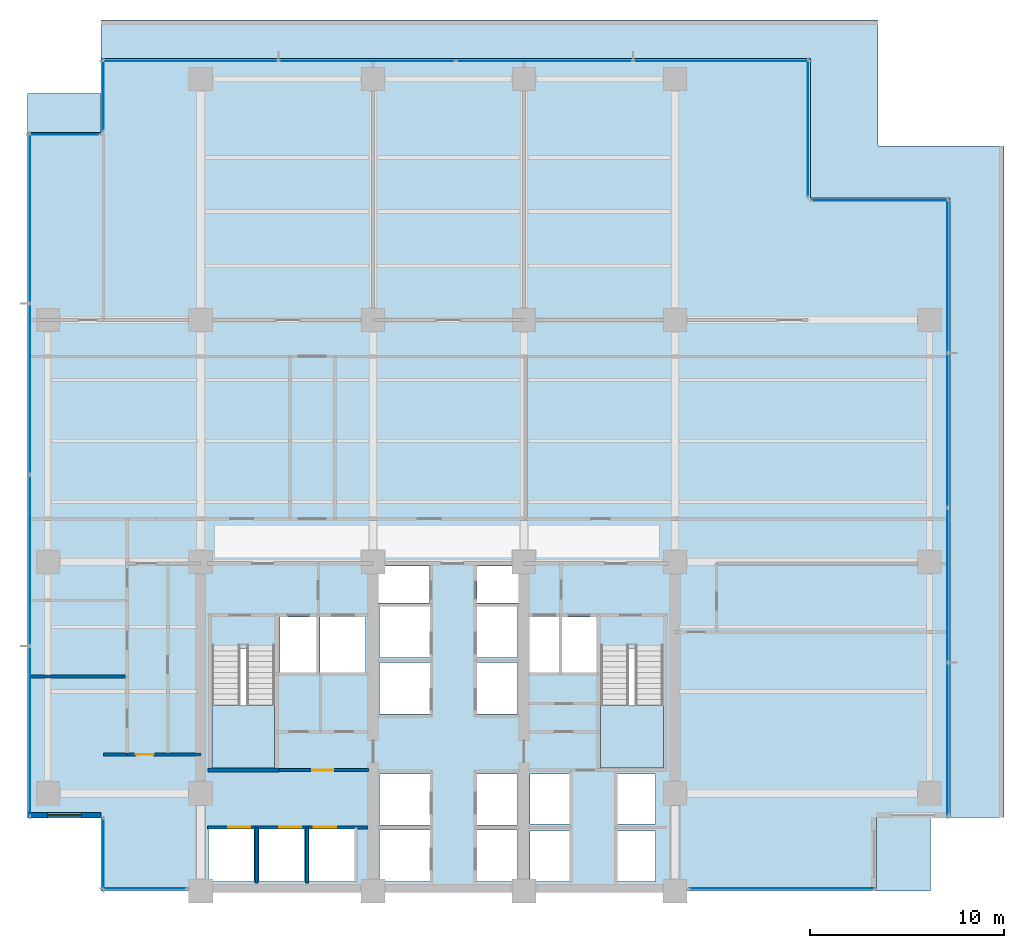
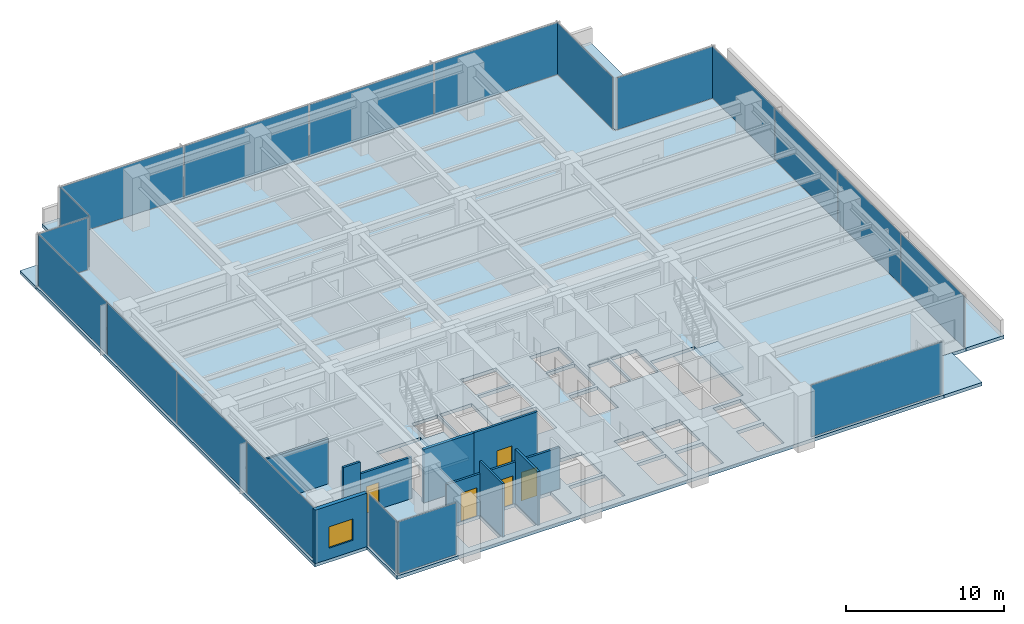
# One storey, part 7 of 16: 19 plates, 9 walls, 6 slabs, 5 doors, 1 window, 6 openings, 12 elements without a shape of their own.
"""IFC4 building model written with IfcOpenShell, lengths in metres."""

from ifc_helpers import new_model, si_unit, direction, frame, frame_2d, origin, origin_2d, place, context, subcontext, project, spatial, polyline, rectangle, outline, extrude, material, layer, layer_set, type_object, element, fill, aggregate, save


model = new_model("IFC4")

# Units and contexts
model_context = context("Model", 3, precision=1e-05, world=origin(), true_north=direction((0.0, 1.0)))
body_context = subcontext(model_context, "Body", "Model", "MODEL_VIEW")
ifc_project = project(units=[si_unit("LENGTHUNIT", "METRE"), si_unit("AREAUNIT", "SQUARE_METRE"), si_unit("VOLUMEUNIT", "CUBIC_METRE"), si_unit("PLANEANGLEUNIT", "RADIAN"), si_unit("MASSUNIT", "GRAM", prefix="KILO")], contexts=[model_context])

# Site, building, storey
site_placement = place(None, origin())
site = spatial("IfcSite", under=ifc_project, at=site_placement, CompositionType="ELEMENT")
building_placement = place(site_placement, origin())
building = spatial("IfcBuilding", under=site, at=building_placement, Name="Qalmaran Belvedere Hotel", CompositionType="ELEMENT")
storey_placement = place(building_placement, frame((0.0, 0.0, 83.800048828125)))
storey = spatial("IfcBuildingStorey", under=building, at=storey_placement, Name="L20", CompositionType="ELEMENT", Elevation=83.800048828125)

# Curtain wall, plate
ifc_material_1 = material(Name="Anodised Bronze Aluminium", Category="aluminium")
ifc_layer_1 = layer(ifc_material_1, 0.199951171875, Name="Anodised Bronze Aluminium")
ifc_layer_set_1 = layer_set([ifc_layer_1], Name="Anodised Bronze Aluminium")
curtain_wall_type = type_object("IfcCurtainWallType", Name="CW3-TOWER-LOWMID", PredefinedType="NOTDEFINED", material=ifc_layer_set_1)
curtain_wall_1_placement = place(storey_placement, origin())
curtain_wall_1 = element("IfcCurtainWall", 1, at=curtain_wall_1_placement, inside=storey, type_object=curtain_wall_type, Name="L20 Curtain Wall CW3", PredefinedType="NOTDEFINED")
ifc_material_2 = material(Name="Solar-Control Double Glazing", Category="glass")
ifc_layer_2 = layer(ifc_material_2, 0.028076171875, Name="Solar-Control Double Glazing")
ifc_layer_set_2 = layer_set([ifc_layer_2], Name="Solar-Control Double Glazing")
plate_type = type_object("IfcPlateType", Name="CWP-VISION-28", PredefinedType="CURTAIN_PANEL", material=ifc_layer_set_2)
plate_1_placement = place(storey_placement, frame((17.392578125, 3.6201171875, 0.06494140625), z_axis=(0.0, 0.0, 1.0), x_axis=(1.0, 0.0, 0.0)))
plate_1 = element("IfcPlate", 2, at=plate_1_placement, type_object=plate_type, Name="CW3 panel 1.1", PredefinedType="CURTAIN_PANEL", context=body_context, shape_type="SweptSolid", body=[
    extrude(rectangle(XDim=4.344970703125, YDim=0.028076171875, at=origin_2d()), origin(), (0.0, 0.0, 1.0), 4.010009765625),
])
aggregate(curtain_wall_1, [plate_1])

curtain_wall_2_placement = place(storey_placement, origin())
curtain_wall_2 = element("IfcCurtainWall", 3, at=curtain_wall_2_placement, inside=storey, type_object=curtain_wall_type, Name="L20 Curtain Wall CW3", PredefinedType="NOTDEFINED")
plate_2_placement = place(storey_placement, frame((50.33251953125, 3.6201171875, 0.06494140625), z_axis=(0.0, 0.0, 1.0), x_axis=(1.0, 0.0, 0.0)))
plate_2 = element("IfcPlate", 4, at=plate_2_placement, type_object=plate_type, Name="CW3 panel 1.1", PredefinedType="CURTAIN_PANEL", context=body_context, shape_type="SweptSolid", body=[
    extrude(rectangle(XDim=9.594970703125, YDim=0.028076171875, at=origin_2d()), origin(), (0.0, 0.0, 1.0), 4.010009765625),
])
aggregate(curtain_wall_2, [plate_2])

# Curtain wall, plates
curtain_wall_3_placement = place(storey_placement, origin())
curtain_wall_3 = element("IfcCurtainWall", 5, at=curtain_wall_3_placement, inside=storey, type_object=curtain_wall_type, Name="L20 Curtain Wall CW3", PredefinedType="NOTDEFINED")
plate_3_placement = place(storey_placement, frame((58.8798828125, 11.3173828125, 0.06494140625), z_axis=(0.0, 0.0, 1.0), x_axis=(0.0, 1.0, 0.0)))
plate_3 = element("IfcPlate", 6, at=plate_3_placement, type_object=plate_type, Name="CW3 panel 1.1", PredefinedType="CURTAIN_PANEL", context=body_context, shape_type="SweptSolid", body=[
    extrude(rectangle(XDim=7.89501953125, YDim=0.028076171875, at=origin_2d()), origin(), (0.0, 0.0, 1.0), 4.010009765625),
])
plate_4_placement = place(storey_placement, frame((58.8798828125, 19.300048828125, 0.06494140625), z_axis=(0.0, 0.0, 1.0), x_axis=(0.0, 1.0, 0.0)))
plate_4 = element("IfcPlate", 7, at=plate_4_placement, type_object=plate_type, Name="CW3 panel 2.1", PredefinedType="CURTAIN_PANEL", context=body_context, shape_type="SweptSolid", body=[
    extrude(rectangle(XDim=7.929931640625, YDim=0.028076171875, at=origin_2d()), origin(), (0.0, 0.0, 1.0), 4.010009765625),
])
plate_5_placement = place(storey_placement, frame((58.8798828125, 27.300048828125, 0.06494140625), z_axis=(0.0, 0.0, 1.0), x_axis=(0.0, 1.0, 0.0)))
plate_5 = element("IfcPlate", 8, at=plate_5_placement, type_object=plate_type, Name="CW3 panel 3.1", PredefinedType="CURTAIN_PANEL", context=body_context, shape_type="SweptSolid", body=[
    extrude(rectangle(XDim=7.929931640625, YDim=0.028076171875, at=origin_2d()), origin(), (0.0, 0.0, 1.0), 4.010009765625),
])
plate_6_placement = place(storey_placement, frame((58.8798828125, 35.282470703125, 0.06494140625), z_axis=(0.0, 0.0, 1.0), x_axis=(0.0, 1.0, 0.0)))
plate_6 = element("IfcPlate", 9, at=plate_6_placement, type_object=plate_type, Name="CW3 panel 4.1", PredefinedType="CURTAIN_PANEL", context=body_context, shape_type="SweptSolid", body=[
    extrude(rectangle(XDim=7.89501953125, YDim=0.028076171875, at=origin_2d()), origin(), (0.0, 0.0, 1.0), 4.010009765625),
])
aggregate(curtain_wall_3, [plate_3, plate_4, plate_5, plate_6])

# Curtain wall, plate
curtain_wall_4_placement = place(storey_placement, origin())
curtain_wall_4 = element("IfcCurtainWall", 10, at=curtain_wall_4_placement, inside=storey, type_object=curtain_wall_type, Name="L20 Curtain Wall CW3", PredefinedType="NOTDEFINED")
plate_7_placement = place(storey_placement, frame((55.39990234375, 39.179931640625, 0.06494140625), z_axis=(0.0, 0.0, 1.0), x_axis=(-1.0, 0.0, 0.0)))
plate_7 = element("IfcPlate", 11, at=plate_7_placement, type_object=plate_type, Name="CW3 panel 1.1", PredefinedType="CURTAIN_PANEL", context=body_context, shape_type="SweptSolid", body=[
    extrude(rectangle(XDim=7.06005859375, YDim=0.028076171875, at=origin_2d()), origin(), (0.0, 0.0, 1.0), 4.010009765625),
])
aggregate(curtain_wall_4, [plate_7])

curtain_wall_5_placement = place(storey_placement, origin())
curtain_wall_5 = element("IfcCurtainWall", 12, at=curtain_wall_5_placement, inside=storey, type_object=curtain_wall_type, Name="L20 Curtain Wall CW3", PredefinedType="NOTDEFINED")
plate_8_placement = place(storey_placement, frame((51.679931640625, 42.89990234375, 0.06494140625), z_axis=(0.0, 0.0, 1.0), x_axis=(0.0, 1.0, 0.0)))
plate_8 = element("IfcPlate", 13, at=plate_8_placement, type_object=plate_type, Name="CW3 panel 1.1", PredefinedType="CURTAIN_PANEL", context=body_context, shape_type="SweptSolid", body=[
    extrude(rectangle(XDim=7.06005859375, YDim=0.028076171875, at=origin_2d()), origin(), (0.0, 0.0, 1.0), 4.010009765625),
])
aggregate(curtain_wall_5, [plate_8])

# Curtain wall, plates
curtain_wall_6_placement = place(storey_placement, origin())
curtain_wall_6 = element("IfcCurtainWall", 14, at=curtain_wall_6_placement, inside=storey, type_object=curtain_wall_type, Name="L20 Curtain Wall CW3", PredefinedType="NOTDEFINED")
plate_9_placement = place(storey_placement, frame((47.201171875, 46.3798828125, 0.06494140625), z_axis=(0.0, 0.0, 1.0), x_axis=(-1.0, 0.0, 0.0)))
plate_9 = element("IfcPlate", 15, at=plate_9_placement, type_object=plate_type, Name="CW3 panel 1.1", PredefinedType="CURTAIN_PANEL", context=body_context, shape_type="SweptSolid", body=[
    extrude(rectangle(XDim=9.0576171875, YDim=0.028076171875, at=origin_2d()), origin(), (0.0, 0.0, 1.0), 4.010009765625),
])
plate_10_placement = place(storey_placement, frame((38.05615234375, 46.3798828125, 0.06494140625), z_axis=(0.0, 0.0, 1.0), x_axis=(-1.0, 0.0, 0.0)))
plate_10 = element("IfcPlate", 16, at=plate_10_placement, type_object=plate_type, Name="CW3 panel 2.1", PredefinedType="CURTAIN_PANEL", context=body_context, shape_type="SweptSolid", body=[
    extrude(rectangle(XDim=9.092529296875, YDim=0.028076171875, at=origin_2d()), origin(), (0.0, 0.0, 1.0), 4.010009765625),
])
plate_11_placement = place(storey_placement, frame((28.893798828125, 46.3798828125, 0.06494140625), z_axis=(0.0, 0.0, 1.0), x_axis=(-1.0, 0.0, 0.0)))
plate_11 = element("IfcPlate", 17, at=plate_11_placement, type_object=plate_type, Name="CW3 panel 3.1", PredefinedType="CURTAIN_PANEL", context=body_context, shape_type="SweptSolid", body=[
    extrude(rectangle(XDim=9.092529296875, YDim=0.028076171875, at=origin_2d()), origin(), (0.0, 0.0, 1.0), 4.010009765625),
])
plate_12_placement = place(storey_placement, frame((19.748779296875, 46.3798828125, 0.06494140625), z_axis=(0.0, 0.0, 1.0), x_axis=(-1.0, 0.0, 0.0)))
plate_12 = element("IfcPlate", 18, at=plate_12_placement, type_object=plate_type, Name="CW3 panel 4.1", PredefinedType="CURTAIN_PANEL", context=body_context, shape_type="SweptSolid", body=[
    extrude(rectangle(XDim=9.0576171875, YDim=0.028076171875, at=origin_2d()), origin(), (0.0, 0.0, 1.0), 4.010009765625),
])
aggregate(curtain_wall_6, [plate_9, plate_10, plate_11, plate_12])

# Curtain wall, plate
curtain_wall_7_placement = place(storey_placement, origin())
curtain_wall_7 = element("IfcCurtainWall", 19, at=curtain_wall_7_placement, inside=storey, type_object=curtain_wall_type, Name="L20 Curtain Wall CW3", PredefinedType="NOTDEFINED")
plate_13_placement = place(storey_placement, frame((15.27001953125, 44.60009765625, 0.06494140625), z_axis=(0.0, 0.0, 1.0), x_axis=(0.0, -1.0, 0.0)))
plate_13 = element("IfcPlate", 20, at=plate_13_placement, type_object=plate_type, Name="CW3 panel 1.1", PredefinedType="CURTAIN_PANEL", context=body_context, shape_type="SweptSolid", body=[
    extrude(rectangle(XDim=3.659912109375, YDim=0.028076171875, at=origin_2d()), origin(), (0.0, 0.0, 1.0), 4.010009765625),
])
aggregate(curtain_wall_7, [plate_13])

curtain_wall_8_placement = place(storey_placement, origin())
curtain_wall_8 = element("IfcCurtainWall", 21, at=curtain_wall_8_placement, inside=storey, type_object=curtain_wall_type, Name="L20 Curtain Wall CW3", PredefinedType="NOTDEFINED")
plate_14_placement = place(storey_placement, frame((13.25, 42.580078125, 0.06494140625), z_axis=(0.0, 0.0, 1.0), x_axis=(-1.0, 0.0, 0.0)))
plate_14 = element("IfcPlate", 22, at=plate_14_placement, type_object=plate_type, Name="CW3 panel 1.1", PredefinedType="CURTAIN_PANEL", context=body_context, shape_type="SweptSolid", body=[
    extrude(rectangle(XDim=3.659912109375, YDim=0.028076171875, at=origin_2d()), origin(), (0.0, 0.0, 1.0), 4.010009765625),
])
aggregate(curtain_wall_8, [plate_14])

# Curtain wall, plates
curtain_wall_9_placement = place(storey_placement, origin())
curtain_wall_9 = element("IfcCurtainWall", 23, at=curtain_wall_9_placement, inside=storey, type_object=curtain_wall_type, Name="L20 Curtain Wall CW3", PredefinedType="NOTDEFINED")
plate_15_placement = place(storey_placement, frame((11.469970703125, 38.257568359375, 0.06494140625), z_axis=(0.0, 0.0, 1.0), x_axis=(0.0, -1.0, 0.0)))
plate_15 = element("IfcPlate", 24, at=plate_15_placement, type_object=plate_type, Name="CW3 panel 1.1", PredefinedType="CURTAIN_PANEL", context=body_context, shape_type="SweptSolid", body=[
    extrude(rectangle(XDim=8.7451171875, YDim=0.028076171875, at=origin_2d()), origin(), (0.0, 0.0, 1.0), 4.010009765625),
])
plate_16_placement = place(storey_placement, frame((11.469970703125, 29.425048828125, 0.06494140625), z_axis=(0.0, 0.0, 1.0), x_axis=(0.0, -1.0, 0.0)))
plate_16 = element("IfcPlate", 25, at=plate_16_placement, type_object=plate_type, Name="CW3 panel 2.1", PredefinedType="CURTAIN_PANEL", context=body_context, shape_type="SweptSolid", body=[
    extrude(rectangle(XDim=8.780029296875, YDim=0.028076171875, at=origin_2d()), origin(), (0.0, 0.0, 1.0), 4.010009765625),
])
plate_17_placement = place(storey_placement, frame((11.469970703125, 20.574951171875, 0.06494140625), z_axis=(0.0, 0.0, 1.0), x_axis=(0.0, -1.0, 0.0)))
plate_17 = element("IfcPlate", 26, at=plate_17_placement, type_object=plate_type, Name="CW3 panel 3.1", PredefinedType="CURTAIN_PANEL", context=body_context, shape_type="SweptSolid", body=[
    extrude(rectangle(XDim=8.780029296875, YDim=0.028076171875, at=origin_2d()), origin(), (0.0, 0.0, 1.0), 4.010009765625),
])
plate_18_placement = place(storey_placement, frame((11.469970703125, 11.742431640625, 0.06494140625), z_axis=(0.0, 0.0, 1.0), x_axis=(0.0, -1.0, 0.0)))
plate_18 = element("IfcPlate", 27, at=plate_18_placement, type_object=plate_type, Name="CW3 panel 4.1", PredefinedType="CURTAIN_PANEL", context=body_context, shape_type="SweptSolid", body=[
    extrude(rectangle(XDim=8.7451171875, YDim=0.028076171875, at=origin_2d()), origin(), (0.0, 0.0, 1.0), 4.010009765625),
])
aggregate(curtain_wall_9, [plate_15, plate_16, plate_17, plate_18])

# Curtain wall, plate
curtain_wall_10_placement = place(storey_placement, origin())
curtain_wall_10 = element("IfcCurtainWall", 28, at=curtain_wall_10_placement, inside=storey, type_object=curtain_wall_type, Name="L20 Curtain Wall CW3", PredefinedType="NOTDEFINED")
plate_19_placement = place(storey_placement, frame((15.27001953125, 5.39990234375, 0.06494140625), z_axis=(0.0, 0.0, 1.0), x_axis=(0.0, -1.0, 0.0)))
plate_19 = element("IfcPlate", 29, at=plate_19_placement, type_object=plate_type, Name="CW3 panel 1.1", PredefinedType="CURTAIN_PANEL", context=body_context, shape_type="SweptSolid", body=[
    extrude(rectangle(XDim=3.659912109375, YDim=0.028076171875, at=origin_2d()), origin(), (0.0, 0.0, 1.0), 4.010009765625),
])
aggregate(curtain_wall_10, [plate_19])

# Slabs
ifc_material_3 = material(Name="Concrete C40/50", Category="concrete")
ifc_layer_3 = layer(ifc_material_3, 0.260009765625, Name="Concrete C40/50")
ifc_layer_set_3 = layer_set([ifc_layer_3], Name="Concrete C40/50")
slab_type_1 = type_object("IfcSlabType", Name="SLB-SROOF-260", PredefinedType="ROOF", material=ifc_layer_set_3)
slab_1_placement = place(storey_placement, frame((0.0, 0.0, -0.260009765625)))
element("IfcSlab", 30, at=slab_1_placement, inside=storey, type_object=slab_type_1, Name="L20 Stepped Roof Cap 1", PredefinedType="ROOF", context=body_context, shape_type="SweptSolid", body=[
    extrude(outline(polyline([(58.0, 3.5), (55.199951171875, 3.5), (55.199951171875, 7.300048828125), (58.0, 7.300048828125), (58.0, 3.5)])), origin(), (0.0, 0.0, 1.0), 0.260009765625),
])
slab_2_placement = place(storey_placement, frame((0.0, 0.0, -0.260009765625)))
element("IfcSlab", 31, at=slab_2_placement, inside=storey, type_object=slab_type_1, Name="L20 Stepped Roof Cap 2", PredefinedType="ROOF", context=body_context, shape_type="SweptSolid", body=[
    extrude(outline(polyline([(15.14990234375, 48.5), (55.300048828125, 48.5), (55.300048828125, 42.0), (61.800048828125, 42.0), (61.800048828125, 7.300048828125), (59.0, 7.300048828125), (59.0, 39.300048828125), (51.800048828125, 39.300048828125), (51.800048828125, 46.5), (15.14990234375, 46.5), (15.14990234375, 48.5)])), origin(), (0.0, 0.0, 1.0), 0.260009765625),
])
slab_3_placement = place(storey_placement, frame((0.0, 0.0, -0.260009765625)))
element("IfcSlab", 32, at=slab_3_placement, inside=storey, type_object=slab_type_1, Name="L20 Stepped Roof Cap 3", PredefinedType="ROOF", context=body_context, shape_type="SweptSolid", body=[
    extrude(outline(polyline([(11.35009765625, 44.699951171875), (15.14990234375, 44.699951171875), (15.14990234375, 42.699951171875), (11.35009765625, 42.699951171875), (11.35009765625, 44.699951171875)])), origin(), (0.0, 0.0, 1.0), 0.260009765625),
])

# Stair, slab
stair_type_1 = type_object("IfcStairType", Name="STR-ST-1-1450-R1833", PredefinedType="HALF_TURN_STAIR", material=ifc_material_3)
stair_1_placement = place(storey_placement, origin())
stair_1 = element("IfcStair", 33, at=stair_1_placement, inside=storey, type_object=stair_type_1, Name="L20 West Core Exit Stair ST-1", PredefinedType="HALF_TURN_STAIR")
ifc_layer_4 = layer(ifc_material_3, 0.199951171875, Name="Concrete C40/50")
ifc_layer_set_4 = layer_set([ifc_layer_4], Name="Concrete C40/50")
slab_type_2 = type_object("IfcSlabType", Name="SLB-STAIR-LANDING-200", PredefinedType="LANDING", material=ifc_layer_set_4)
slab_4_placement = place(storey_placement, frame((0.0, 0.0, 2.0)))
slab_4 = element("IfcSlab", 34, at=slab_4_placement, type_object=slab_type_2, Name="ST-1 landing 1", PredefinedType="LANDING", context=body_context, shape_type="SweptSolid", body=[
    extrude(outline(polyline([(20.8798828125, 13.110107421875), (20.8798828125, 9.85009765625), (24.1201171875, 9.85009765625), (24.1201171875, 13.110107421875), (20.8798828125, 13.110107421875)])), origin(), (0.0, 0.0, 1.0), 0.199951171875),
])
aggregate(stair_1, [slab_4])

stair_type_2 = type_object("IfcStairType", Name="STR-ST-2-1450-R1833", PredefinedType="HALF_TURN_STAIR", material=ifc_material_3)
stair_2_placement = place(storey_placement, origin())
stair_2 = element("IfcStair", 35, at=stair_2_placement, inside=storey, type_object=stair_type_2, Name="L20 East Core Exit Stair ST-2", PredefinedType="HALF_TURN_STAIR")
slab_5_placement = place(storey_placement, frame((0.0, 0.0, 2.0)))
slab_5 = element("IfcSlab", 36, at=slab_5_placement, type_object=slab_type_2, Name="ST-2 landing 1", PredefinedType="LANDING", context=body_context, shape_type="SweptSolid", body=[
    extrude(outline(polyline([(40.9599609375, 13.110107421875), (40.9599609375, 9.85009765625), (44.199951171875, 9.85009765625), (44.199951171875, 13.110107421875), (40.9599609375, 13.110107421875)])), origin(), (0.0, 0.0, 1.0), 0.199951171875),
])
aggregate(stair_2, [slab_5])

# Slab
ifc_layer_5 = layer(ifc_material_3, 0.260009765625, Name="Concrete C40/50")
ifc_layer_set_5 = layer_set([ifc_layer_5], Name="Concrete C40/50")
slab_type_3 = type_object("IfcSlabType", Name="SLB-Z2-260", PredefinedType="FLOOR", material=ifc_layer_set_5)
slab_6_placement = place(storey_placement, frame((0.0, 0.0, -0.260009765625)))
element("IfcSlab", 37, at=slab_6_placement, inside=storey, type_object=slab_type_3, Name="L20 Structural Floor Slab", PredefinedType="FLOOR", context=body_context, shape_type="SweptSolid", body=[
    extrude(outline(polyline([(15.14990234375, 3.5), (55.199951171875, 3.5), (55.199951171875, 7.300048828125), (59.0, 7.300048828125), (59.0, 39.300048828125), (51.800048828125, 39.300048828125), (51.800048828125, 46.5), (15.14990234375, 46.5), (15.14990234375, 42.699951171875), (11.35009765625, 42.699951171875), (11.35009765625, 7.300048828125), (15.14990234375, 7.300048828125), (15.14990234375, 3.5)]), holes=[polyline([(20.8798828125, 9.85009765625), (24.1201171875, 9.85009765625), (24.1201171875, 16.0400390625), (20.8798828125, 16.0400390625), (20.8798828125, 9.85009765625)]), polyline([(40.9599609375, 9.85009765625), (44.199951171875, 9.85009765625), (44.199951171875, 16.0400390625), (40.9599609375, 16.0400390625), (40.9599609375, 9.85009765625)]), polyline([(29.544921875, 4.0), (32.14990234375, 4.0), (32.14990234375, 6.64990234375), (29.544921875, 6.64990234375), (29.544921875, 4.0)]), polyline([(29.544921875, 6.89990234375), (32.14990234375, 6.89990234375), (32.14990234375, 9.550048828125), (29.544921875, 9.550048828125), (29.544921875, 6.89990234375)]), polyline([(34.550048828125, 4.0), (36.655029296875, 4.0), (36.655029296875, 6.64990234375), (34.550048828125, 6.64990234375), (34.550048828125, 4.0)]), polyline([(34.550048828125, 6.89990234375), (36.655029296875, 6.89990234375), (36.655029296875, 9.550048828125), (34.550048828125, 9.550048828125), (34.550048828125, 6.89990234375)]), polyline([(29.544921875, 12.64990234375), (32.14990234375, 12.64990234375), (32.14990234375, 15.300048828125), (29.544921875, 15.300048828125), (29.544921875, 12.64990234375)]), polyline([(29.544921875, 15.550048828125), (32.14990234375, 15.550048828125), (32.14990234375, 18.199951171875), (29.544921875, 18.199951171875), (29.544921875, 15.550048828125)]), polyline([(34.550048828125, 12.64990234375), (36.655029296875, 12.64990234375), (36.655029296875, 15.300048828125), (34.550048828125, 15.300048828125), (34.550048828125, 12.64990234375)]), polyline([(34.550048828125, 15.550048828125), (36.655029296875, 15.550048828125), (36.655029296875, 18.199951171875), (34.550048828125, 18.199951171875), (34.550048828125, 15.550048828125)]), polyline([(37.300048828125, 4.0), (39.35009765625, 4.0), (39.35009765625, 6.60009765625), (37.300048828125, 6.60009765625), (37.300048828125, 4.0)]), polyline([(37.300048828125, 6.949951171875), (39.35009765625, 6.949951171875), (39.35009765625, 9.550048828125), (37.300048828125, 9.550048828125), (37.300048828125, 6.949951171875)]), polyline([(41.800048828125, 4.0), (43.800048828125, 4.0), (43.800048828125, 6.60009765625), (41.800048828125, 6.60009765625), (41.800048828125, 4.0)]), polyline([(41.800048828125, 6.949951171875), (43.800048828125, 6.949951171875), (43.800048828125, 9.550048828125), (41.800048828125, 9.550048828125), (41.800048828125, 6.949951171875)]), polyline([(20.699951171875, 4.0), (23.050048828125, 4.0), (23.050048828125, 6.699951171875), (20.699951171875, 6.699951171875), (20.699951171875, 4.0)]), polyline([(23.300048828125, 4.0), (25.64990234375, 4.0), (25.64990234375, 6.699951171875), (23.300048828125, 6.699951171875), (23.300048828125, 4.0)]), polyline([(25.89990234375, 4.0), (28.25, 4.0), (28.25, 6.699951171875), (25.89990234375, 6.699951171875), (25.89990234375, 4.0)]), polyline([(24.39990234375, 14.800048828125), (26.300048828125, 14.800048828125), (26.300048828125, 17.64990234375), (24.39990234375, 17.64990234375), (24.39990234375, 14.800048828125)]), polyline([(38.949951171875, 14.800048828125), (40.820068359375, 14.800048828125), (40.820068359375, 17.64990234375), (38.949951171875, 17.64990234375), (38.949951171875, 14.800048828125)]), polyline([(26.449951171875, 14.800048828125), (28.800048828125, 14.800048828125), (28.800048828125, 17.64990234375), (26.449951171875, 17.64990234375), (26.449951171875, 14.800048828125)]), polyline([(37.25, 14.800048828125), (38.800048828125, 14.800048828125), (38.800048828125, 17.64990234375), (37.25, 17.64990234375), (37.25, 14.800048828125)]), polyline([(29.4951171875, 18.3798828125), (32.1201171875, 18.3798828125), (32.1201171875, 20.300048828125), (29.4951171875, 20.300048828125), (29.4951171875, 18.3798828125)]), polyline([(34.580078125, 18.3798828125), (36.705078125, 18.3798828125), (36.705078125, 20.300048828125), (34.580078125, 20.300048828125), (34.580078125, 18.3798828125)])]), origin(), (0.0, 0.0, 1.0), 0.260009765625),
])

# Wall, opening, window
ifc_material_4 = material(Name="Anodised Bronze Cladding")
ifc_layer_6 = layer(ifc_material_4, 0.280029296875, Name="Anodised Bronze Cladding")
ifc_layer_set_6 = layer_set([ifc_layer_6], Name="Anodised Bronze Cladding")
wall_type_1 = type_object("IfcWallType", Name="WL-EXT-BRNZ-280", PredefinedType="SOLIDWALL", material=ifc_layer_set_6)
wall_1_placement = place(storey_placement, frame((11.35009765625, 7.419921875, 0.0), z_axis=(0.0, 0.0, 1.0), x_axis=(1.0, 0.0, 0.0)))
wall_1 = element("IfcWall", 38, at=wall_1_placement, inside=storey, type_object=wall_type_1, Name="L20 Corner Notch Wall 10", PredefinedType="SOLIDWALL", context=body_context, shape_type="SweptSolid", body=[
    extrude(rectangle(XDim=3.7998046875, YDim=0.280029296875, at=frame_2d((1.89990234375, 0.0))), origin(), (0.0, 0.0, 1.0), 4.139892578125),
])
opening_1_placement = place(wall_1_placement, frame((1.02490234375, 0.0, 0.85009765625)))
opening_1 = element("IfcOpeningElement", 39, at=opening_1_placement, cuts=wall_1, Name="Opening W-N17", PredefinedType="OPENING", context=body_context, shape_type="SweptSolid", body=[
    extrude(rectangle(XDim=1.75, YDim=1.64990234375, at=frame_2d((0.875, 0.824951171875))), frame((0.0, 0.14990234375, 0.0), z_axis=(0.0, -1.0, 0.0), x_axis=(1.0, 0.0, 0.0)), (0.0, 0.0, 1.0), 0.300048828125),
])
window_type = type_object("IfcWindowType", Name="WN-NTC-1750X1650", PartitioningType="SINGLE_PANEL", PredefinedType="WINDOW", material=ifc_material_2)
window_placement = place(opening_1_placement, origin())
window = element("IfcWindow", 40, at=window_placement, inside=storey, type_object=window_type, Name="L20 Corner Notch Window 10", OverallHeight=1.64990234375, OverallWidth=1.75, PartitioningType="SINGLE_PANEL", PredefinedType="WINDOW", context=body_context, shape_type="SweptSolid", body=[
    extrude(rectangle(XDim=1.75, YDim=1.64990234375, at=frame_2d((0.875, 0.824951171875))), frame((0.0, 0.030029296875, 0.0), z_axis=(0.0, -1.0, 0.0), x_axis=(1.0, 0.0, 0.0)), (0.0, 0.0, 1.0), 0.06005859375),
])
fill(opening_1, window)

# Walls
ifc_material_5 = material(Name="Gypsum Stud Partition")
ifc_layer_7 = layer(ifc_material_5, 0.139892578125, Name="Gypsum Stud Partition")
ifc_layer_set_7 = layer_set([ifc_layer_7], Name="Gypsum Stud Partition")
wall_type_2 = type_object("IfcWallType", Name="WL-INT-140-NR", PredefinedType="PARTITIONING", material=ifc_layer_set_7)
wall_2_placement = place(storey_placement, frame((11.469970703125, 14.580078125, 0.0), z_axis=(0.0, 0.0, 1.0), x_axis=(1.0, 0.0, 0.0)))
element("IfcWall", 41, at=wall_2_placement, inside=storey, type_object=wall_type_2, Name="L20 Partition WL-L20-WC1", PredefinedType="PARTITIONING", context=body_context, shape_type="SweptSolid", body=[
    extrude(rectangle(XDim=5.030029296875, YDim=0.139892578125, at=frame_2d((2.51513671875, 0.0))), origin(), (0.0, 0.0, 1.0), 3.5029296875),
])
ifc_layer_8 = layer(ifc_material_5, 0.14990234375, Name="Gypsum Stud Partition")
ifc_layer_set_8 = layer_set([ifc_layer_8], Name="Gypsum Stud Partition")
wall_type_3 = type_object("IfcWallType", Name="WL-INT-150-EI120", PredefinedType="PARTITIONING", material=ifc_layer_set_8)
for number, where, z_axis, x_axis, name in (
    (42, (23.179931640625, 3.89990234375, 0.0), (0.0, 0.0, 1.0), (0.0, 1.0, 0.0), "L20 Partition WL-POM1-L20"),
    (43, (25.780029296875, 3.89990234375, 0.0), (0.0, 0.0, 1.0), (0.0, 1.0, 0.0), "L20 Partition WL-POM2-L20"),
):
    element("IfcWall", number, at=place(storey_placement, frame(where, z_axis=z_axis, x_axis=x_axis)), inside=storey, type_object=wall_type_3, Name=name, PredefinedType="PARTITIONING", context=body_context, shape_type="SweptSolid", body=[
        extrude(rectangle(XDim=2.880126953125, YDim=0.14990234375, at=frame_2d((1.43994140625, 0.0))), origin(), (0.0, 0.0, 1.0), 4.139892578125),
    ])

# Wall, openings, doors
ifc_layer_9 = layer(ifc_material_5, 0.159912109375, Name="Gypsum Stud Partition")
ifc_layer_set_9 = layer_set([ifc_layer_9], Name="Gypsum Stud Partition")
wall_type_4 = type_object("IfcWallType", Name="WL-INT-160-EI120", PredefinedType="PARTITIONING", material=ifc_layer_set_9)
wall_3_placement = place(storey_placement, frame((20.64990234375, 6.780029296875, 0.0), z_axis=(0.0, 0.0, 1.0), x_axis=(1.0, 0.0, 0.0)))
wall_3 = element("IfcWall", 44, at=wall_3_placement, inside=storey, type_object=wall_type_4, Name="L20 Partition WL-POS-L20", PredefinedType="PARTITIONING", context=body_context, shape_type="SweptSolid", body=[
    extrude(rectangle(XDim=8.300048828125, YDim=0.159912109375, at=frame_2d((4.14990234375, 0.0))), origin(), (0.0, 0.0, 1.0), 3.212890625),
])
opening_2_placement = place(wall_3_placement, frame((3.69482421875, 0.0, 0.0)))
opening_2 = element("IfcOpeningElement", 45, at=opening_2_placement, cuts=wall_3, Name="Opening LD-PO", PredefinedType="OPENING", context=body_context, shape_type="SweptSolid", body=[
    extrude(rectangle(XDim=1.14990234375, YDim=2.199951171875, at=frame_2d((0.574951171875, 1.10009765625))), frame((0.0, 0.08984375, 0.0), z_axis=(0.0, -1.0, 0.0), x_axis=(1.0, 0.0, 0.0)), (0.0, 0.0, 1.0), 0.179931640625),
])
opening_3_placement = place(wall_3_placement, frame((5.4921875, 0.0, 0.0)))
opening_3 = element("IfcOpeningElement", 46, at=opening_3_placement, cuts=wall_3, Name="Opening LD-PO", PredefinedType="OPENING", context=body_context, shape_type="SweptSolid", body=[
    extrude(rectangle(XDim=1.14990234375, YDim=2.199951171875, at=frame_2d((0.574951171875, 1.10009765625))), frame((0.0, 0.08984375, 0.0), z_axis=(0.0, -1.0, 0.0), x_axis=(1.0, 0.0, 0.0)), (0.0, 0.0, 1.0), 0.179931640625),
])
opening_4_placement = place(wall_3_placement, frame((1.058837890625, 0.0, 0.0)))
opening_4 = element("IfcOpeningElement", 47, at=opening_4_placement, cuts=wall_3, Name="Opening LD-PO", PredefinedType="OPENING", context=body_context, shape_type="SweptSolid", body=[
    extrude(rectangle(XDim=1.14990234375, YDim=2.199951171875, at=frame_2d((0.574951171875, 1.10009765625))), frame((0.0, 0.08984375, 0.0), z_axis=(0.0, -1.0, 0.0), x_axis=(1.0, 0.0, 0.0)), (0.0, 0.0, 1.0), 0.179931640625),
])
door_type_1 = type_object("IfcDoorType", Name="DR-LIFT-PO-1150X2200", OperationType="DOUBLE_DOOR_SLIDING", PredefinedType="DOOR", material=ifc_material_1)
door_1_placement = place(opening_2_placement, origin())
door_1 = element("IfcDoor", 48, at=door_1_placement, inside=storey, type_object=door_type_1, Name="L20 PO1 Shuttle Landing Door", OperationType="DOUBLE_DOOR_SLIDING", OverallHeight=2.199951171875, OverallWidth=1.14990234375, PredefinedType="DOOR", context=body_context, shape_type="SweptSolid", body=[
    extrude(rectangle(XDim=1.14990234375, YDim=2.199951171875, at=frame_2d((0.574951171875, 1.10009765625))), frame((0.0, 0.02490234375, 0.0), z_axis=(0.0, -1.0, 0.0), x_axis=(1.0, 0.0, 0.0)), (0.0, 0.0, 1.0), 0.050048828125),
])
fill(opening_2, door_1)
door_2_placement = place(opening_3_placement, origin())
door_2 = element("IfcDoor", 49, at=door_2_placement, inside=storey, type_object=door_type_1, Name="L20 PO2 Shuttle Landing Door", OperationType="DOUBLE_DOOR_SLIDING", OverallHeight=2.199951171875, OverallWidth=1.14990234375, PredefinedType="DOOR", context=body_context, shape_type="SweptSolid", body=[
    extrude(rectangle(XDim=1.14990234375, YDim=2.199951171875, at=frame_2d((0.574951171875, 1.10009765625))), frame((0.0, 0.02490234375, 0.0), z_axis=(0.0, -1.0, 0.0), x_axis=(1.0, 0.0, 0.0)), (0.0, 0.0, 1.0), 0.050048828125),
])
fill(opening_3, door_2)
door_3_placement = place(opening_4_placement, origin())
door_3 = element("IfcDoor", 50, at=door_3_placement, inside=storey, type_object=door_type_1, Name="L20 PO3 Shuttle Landing Door", OperationType="DOUBLE_DOOR_SLIDING", OverallHeight=2.199951171875, OverallWidth=1.14990234375, PredefinedType="DOOR", context=body_context, shape_type="SweptSolid", body=[
    extrude(rectangle(XDim=1.14990234375, YDim=2.199951171875, at=frame_2d((0.574951171875, 1.10009765625))), frame((0.0, 0.02490234375, 0.0), z_axis=(0.0, -1.0, 0.0), x_axis=(1.0, 0.0, 0.0)), (0.0, 0.0, 1.0), 0.050048828125),
])
fill(opening_4, door_3)

# Wall, opening, door
wall_4_placement = place(storey_placement, frame((24.199951171875, 9.739990234375, 0.0), z_axis=(0.0, 0.0, 1.0), x_axis=(1.0, 0.0, 0.0)))
wall_4 = element("IfcWall", 51, at=wall_4_placement, inside=storey, type_object=wall_type_4, Name="L20 Partition WL-PON-L20", PredefinedType="PARTITIONING", context=body_context, shape_type="SweptSolid", body=[
    extrude(rectangle(XDim=4.800048828125, YDim=0.159912109375, at=frame_2d((2.39990234375, 0.0))), origin(), (0.0, 0.0, 1.0), 4.139892578125),
])
opening_5_placement = place(wall_4_placement, frame((1.85009765625, 0.0, 0.0)))
opening_5 = element("IfcOpeningElement", 52, at=opening_5_placement, cuts=wall_4, Name="Opening FD90", PredefinedType="OPENING", context=body_context, shape_type="SweptSolid", body=[
    extrude(rectangle(XDim=1.10009765625, YDim=2.14990234375, at=frame_2d((0.550048828125, 1.074951171875))), frame((0.0, 0.08984375, 0.0), z_axis=(0.0, -1.0, 0.0), x_axis=(1.0, 0.0, 0.0)), (0.0, 0.0, 1.0), 0.179931640625),
])
ifc_material_6 = material(Name="Steel S355JR", Category="steel")
door_type_2 = type_object("IfcDoorType", Name="DR-FD90-1100X2150", OperationType="NOTDEFINED", PredefinedType="DOOR", material=ifc_material_6)
door_4_placement = place(opening_5_placement, origin())
door_4 = element("IfcDoor", 53, at=door_4_placement, inside=storey, type_object=door_type_2, Name="L20 Shuttle Lobby Passage Door", OperationType="SINGLE_SWING_LEFT", OverallHeight=2.14990234375, OverallWidth=1.10009765625, PredefinedType="DOOR", context=body_context, shape_type="SweptSolid", body=[
    extrude(rectangle(XDim=1.10009765625, YDim=2.14990234375, at=frame_2d((0.550048828125, 1.074951171875))), frame((0.0, 0.02490234375, 0.0), z_axis=(0.0, -1.0, 0.0), x_axis=(1.0, 0.0, 0.0)), (0.0, 0.0, 1.0), 0.050048828125),
])
fill(opening_5, door_4)

# Wall
ifc_layer_10 = layer(ifc_material_5, 0.159912109375, Name="Gypsum Stud Partition")
ifc_layer_set_10 = layer_set([ifc_layer_10], Name="Gypsum Stud Partition")
wall_type_5 = type_object("IfcWallType", Name="WL-INT-160-EI60", PredefinedType="PARTITIONING", material=ifc_layer_set_10)
wall_5_placement = place(storey_placement, frame((15.27001953125, 10.550048828125, 0.0), z_axis=(0.0, 0.0, 1.0), x_axis=(1.0, 0.0, 0.0)))
element("IfcWall", 54, at=wall_5_placement, inside=storey, type_object=wall_type_5, Name="L20 Partition WL-L20-WCS1", PredefinedType="PARTITIONING", context=body_context, shape_type="SweptSolid", body=[
    extrude(rectangle(XDim=1.22998046875, YDim=0.159912109375, at=frame_2d((0.614990234375, 0.0))), origin(), (0.0, 0.0, 1.0), 4.139892578125),
])

# Wall, opening, door
wall_6_placement = place(storey_placement, frame((16.5, 10.550048828125, 0.0), z_axis=(0.0, 0.0, 1.0), x_axis=(1.0, 0.0, 0.0)))
wall_6 = element("IfcWall", 55, at=wall_6_placement, inside=storey, type_object=wall_type_5, Name="L20 Partition WL-L20-WCS2", PredefinedType="PARTITIONING", context=body_context, shape_type="SweptSolid", body=[
    extrude(rectangle(XDim=3.800048828125, YDim=0.159912109375, at=frame_2d((1.89990234375, 0.0))), origin(), (0.0, 0.0, 1.0), 3.212890625),
])
opening_6_placement = place(wall_6_placement, frame((1.369873046875, 0.0, 0.0), z_axis=(0.0, 0.0, 1.0), x_axis=(-1.0, 0.0, 0.0)))
opening_6 = element("IfcOpeningElement", 56, at=opening_6_placement, cuts=wall_6, Name="Opening FD60S1", PredefinedType="OPENING", context=body_context, shape_type="SweptSolid", body=[
    extrude(rectangle(XDim=0.919921875, YDim=2.080078125, at=frame_2d((0.4599609375, 1.0400390625))), frame((0.0, 0.08984375, 0.0), z_axis=(0.0, -1.0, 0.0), x_axis=(1.0, 0.0, 0.0)), (0.0, 0.0, 1.0), 0.179931640625),
])
ifc_material_7 = material(Name="Engineered Oak Veneer")
door_type_3 = type_object("IfcDoorType", Name="DR-FD60S-920X2080", OperationType="NOTDEFINED", PredefinedType="DOOR", material=ifc_material_7)
door_5_placement = place(opening_6_placement, origin())
door_5 = element("IfcDoor", 57, at=door_5_placement, inside=storey, type_object=door_type_3, Name="L20 Reading Lounge Door", OperationType="SINGLE_SWING_LEFT", OverallHeight=2.080078125, OverallWidth=0.919921875, PredefinedType="DOOR", context=body_context, shape_type="SweptSolid", body=[
    extrude(rectangle(XDim=0.919921875, YDim=2.080078125, at=frame_2d((0.4599609375, 1.0400390625))), frame((0.0, 0.02490234375, 0.0), z_axis=(0.0, -1.0, 0.0), x_axis=(1.0, 0.0, 0.0)), (0.0, 0.0, 1.0), 0.050048828125),
])
fill(opening_6, door_5)

# Wall
ifc_material_8 = material(Name="Concrete C50/60", Category="concrete")
ifc_layer_11 = layer(ifc_material_8, 0.2099609375, Name="Concrete C50/60")
ifc_layer_set_11 = layer_set([ifc_layer_11], Name="Concrete C50/60")
wall_type_6 = type_object("IfcWallType", Name="WL-STAIR-210-C50", PredefinedType="SHEAR", material=ifc_layer_set_11)
wall_7_placement = place(storey_placement, frame((20.669921875, 9.7451171875, 0.0), z_axis=(0.0, 0.0, 1.0), x_axis=(1.0, 0.0, 0.0)))
element("IfcWall", 58, at=wall_7_placement, inside=storey, type_object=wall_type_6, Name="L20 Stair ST-1 South Bearing Wall", PredefinedType="SHEAR", context=body_context, shape_type="SweptSolid", body=[
    extrude(rectangle(XDim=3.66015625, YDim=0.2099609375, at=frame_2d((1.830078125, 0.0))), origin(), (0.0, 0.0, 1.0), 4.139892578125),
])

save(model, "model.ifc")
